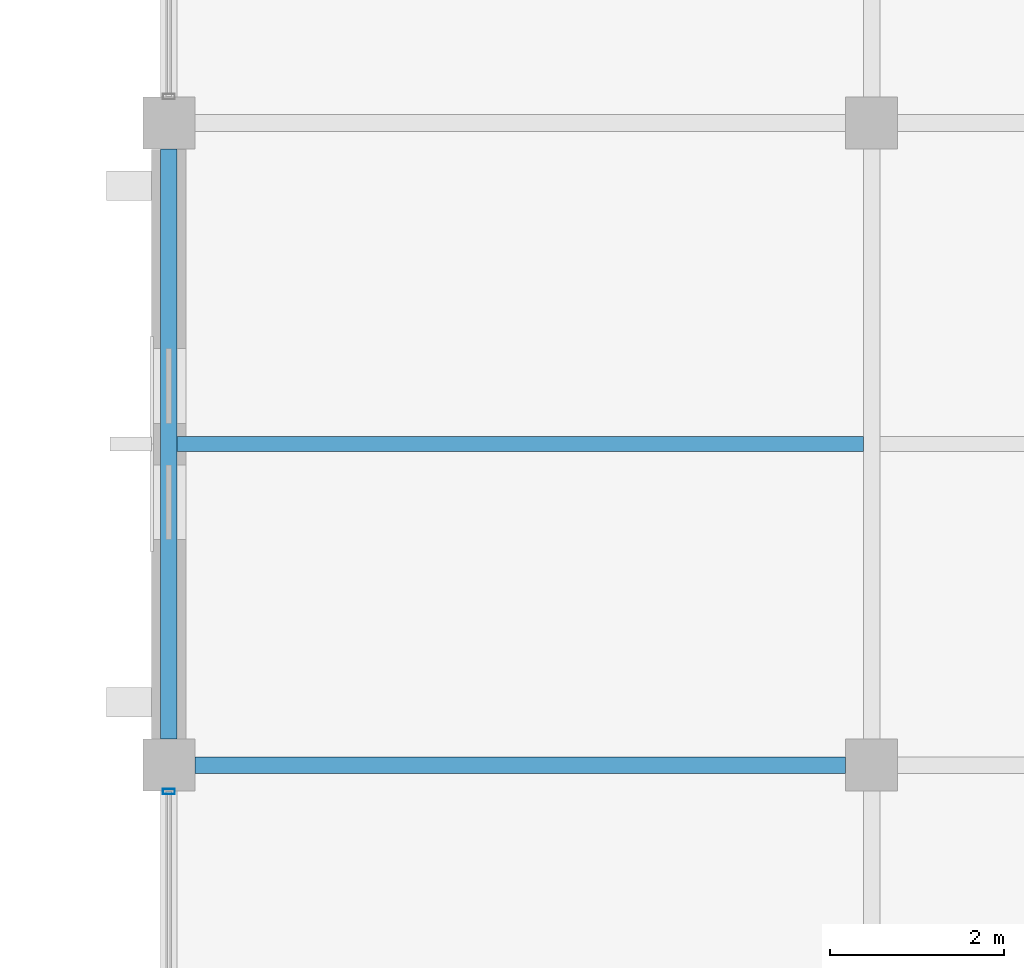
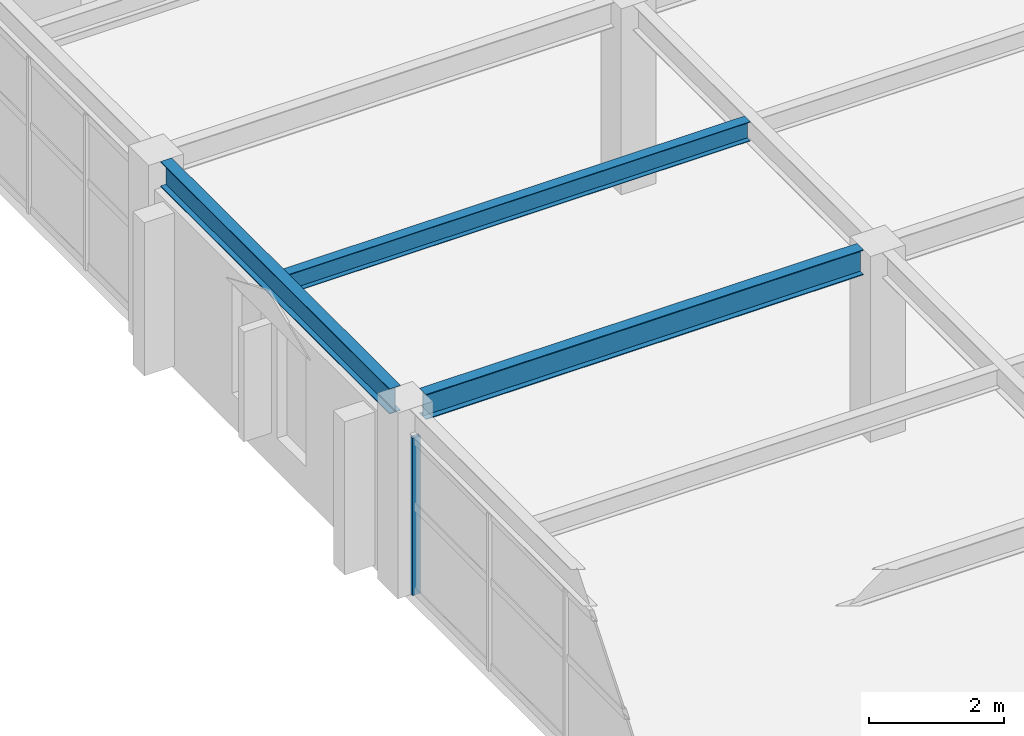
# One storey, part 48 of 121: 3 beams, 1 member, 1 element without a shape of its own.
"""IFC4 building model written with IfcOpenShell, lengths in metres."""

from ifc_helpers import new_model, si_unit, direction, frame, origin, origin_2d, place, context, subcontext, project, spatial, hollow_rectangle, i_section, extrude, material, material_profile, profile_set, type_object, element, aggregate, save


model = new_model("IFC4")

# Units and contexts
model_context = context("Model", 3, precision=1e-05, world=origin(), true_north=direction((0.0, 1.0)))
body_context = subcontext(model_context, "Body", "Model", "MODEL_VIEW")
ifc_project = project(units=[si_unit("LENGTHUNIT", "METRE"), si_unit("AREAUNIT", "SQUARE_METRE"), si_unit("VOLUMEUNIT", "CUBIC_METRE"), si_unit("PLANEANGLEUNIT", "RADIAN"), si_unit("MASSUNIT", "GRAM", prefix="KILO")], contexts=[model_context])

# Site, building, storey
site_placement = place(None, origin())
site = spatial("IfcSite", under=ifc_project, at=site_placement, CompositionType="ELEMENT")
building_placement = place(site_placement, origin())
building = spatial("IfcBuilding", under=site, at=building_placement, Name="Cimatlan Art Gallery", CompositionType="ELEMENT")
storey_placement = place(building_placement, frame((0.0, 0.0, 10.199951171875)))
storey = spatial("IfcBuildingStorey", under=building, at=storey_placement, Name="L02", CompositionType="ELEMENT", Elevation=10.199951171875)

# Beams
ifc_material_1 = material(Name="Steel ASTM A992 Grade 50", Category="steel")
ifc_material_profile_1 = material_profile(ifc_material_1, i_section(OverallWidth=0.1708984375, OverallDepth=0.35107421875, WebThickness=0.0068359375, FlangeThickness=0.009765625, at=origin_2d()), Name="W14X30")
ifc_profile_set_1 = profile_set([ifc_material_profile_1], Name="Steel ASTM A992 Grade 50")
beam_type_1 = type_object("IfcBeamType", Name="BM-STL-W14X30", PredefinedType="JOIST", material=ifc_profile_set_1)
beam_1_placement = place(storey_placement, frame((34.49560546875, 79.39990234375, 3.194580078125), z_axis=(1.0, 0.0, 0.0), x_axis=(0.0, 1.0, 0.0)))
element("IfcBeam", 1, at=beam_1_placement, inside=storey, type_object=beam_type_1, Name="JST-L02-04-10", PredefinedType="JOIST", context=body_context, shape_type="SweptSolid", body=[
    extrude(i_section(OverallWidth=0.1708984375, OverallDepth=0.35107421875, WebThickness=0.0068359375, FlangeThickness=0.009765625, at=origin_2d()), origin(), (0.0, 0.0, 1.0), 7.908935546875),
])
ifc_material_profile_2 = material_profile(ifc_material_1, i_section(OverallWidth=0.19091796875, OverallDepth=0.45703125, WebThickness=0.009033203125, FlangeThickness=0.014404296875, at=origin_2d()), Name="W18X50")
ifc_profile_set_2 = profile_set([ifc_material_profile_2], Name="Steel ASTM A992 Grade 50")
beam_type_2 = type_object("IfcBeamType", Name="BM-STL-W18X50", PredefinedType="BEAM", material=ifc_profile_set_2)
beam_2_placement = place(storey_placement, frame((34.39990234375, 76.0, 3.1416015625), z_axis=(0.0, 1.0, 0.0), x_axis=(-1.0, 0.0, 0.0)))
element("IfcBeam", 2, at=beam_2_placement, inside=storey, type_object=beam_type_2, Name="BM-Y-L02-04-10", PredefinedType="BEAM", context=body_context, shape_type="SweptSolid", body=[
    extrude(i_section(OverallWidth=0.19091796875, OverallDepth=0.45703125, WebThickness=0.009033203125, FlangeThickness=0.014404296875, at=origin_2d()), origin(), (0.0, 0.0, 1.0), 6.800048828125),
])
beam_3_placement = place(storey_placement, frame((34.699951171875, 75.699951171875, 3.1416015625), z_axis=(1.0, 0.0, 0.0), x_axis=(0.0, 1.0, 0.0)))
element("IfcBeam", 3, at=beam_3_placement, inside=storey, type_object=beam_type_2, Name="BM-X-L02-04-10", PredefinedType="BEAM", context=body_context, shape_type="SweptSolid", body=[
    extrude(i_section(OverallWidth=0.19091796875, OverallDepth=0.45703125, WebThickness=0.009033203125, FlangeThickness=0.014404296875, at=origin_2d()), origin(), (0.0, 0.0, 1.0), 7.5),
])

# Curtain wall, member
ifc_material_2 = material(Name="Anodised bronze unitised curtain wall")
curtain_wall_type = type_object("IfcCurtainWallType", Name="CW-V-06792X02853-B3", PredefinedType="NOTDEFINED", material=ifc_material_2)
curtain_wall_placement = place(storey_placement, origin())
curtain_wall = element("IfcCurtainWall", 4, at=curtain_wall_placement, inside=storey, type_object=curtain_wall_type, Name="CW-L02-04-09-W", PredefinedType="NOTDEFINED")
ifc_material_3 = material(Name="Anodised bronze aluminium 6063-T6", Category="aluminium")
ifc_material_profile_3 = material_profile(ifc_material_3, hollow_rectangle(XDim=0.06494140625, YDim=0.139892578125, WallThickness=0.00390625, at=origin_2d()), Name="ALU65X140X4")
ifc_profile_set_3 = profile_set([ifc_material_profile_3], Name="Anodised bronze aluminium 6063-T6")
member_type = type_object("IfcMemberType", Name="CW-MUL-140", PredefinedType="MULLION", material=ifc_profile_set_3)
member_placement = place(storey_placement, frame((34.39990234375, 75.39599609375, 0.0), z_axis=(0.0, 0.0, 1.0), x_axis=(0.0, 1.0, 0.0)))
member = element("IfcMember", 5, at=member_placement, type_object=member_type, Name="CW-L02-04-09-W-M4", PredefinedType="MULLION", context=body_context, shape_type="SweptSolid", body=[
    extrude(hollow_rectangle(XDim=0.06494140625, YDim=0.139892578125, WallThickness=0.00390625, at=origin_2d()), origin(), (0.0, 0.0, 1.0), 2.85302734375),
])
aggregate(curtain_wall, [member])

save(model, "model.ifc")
